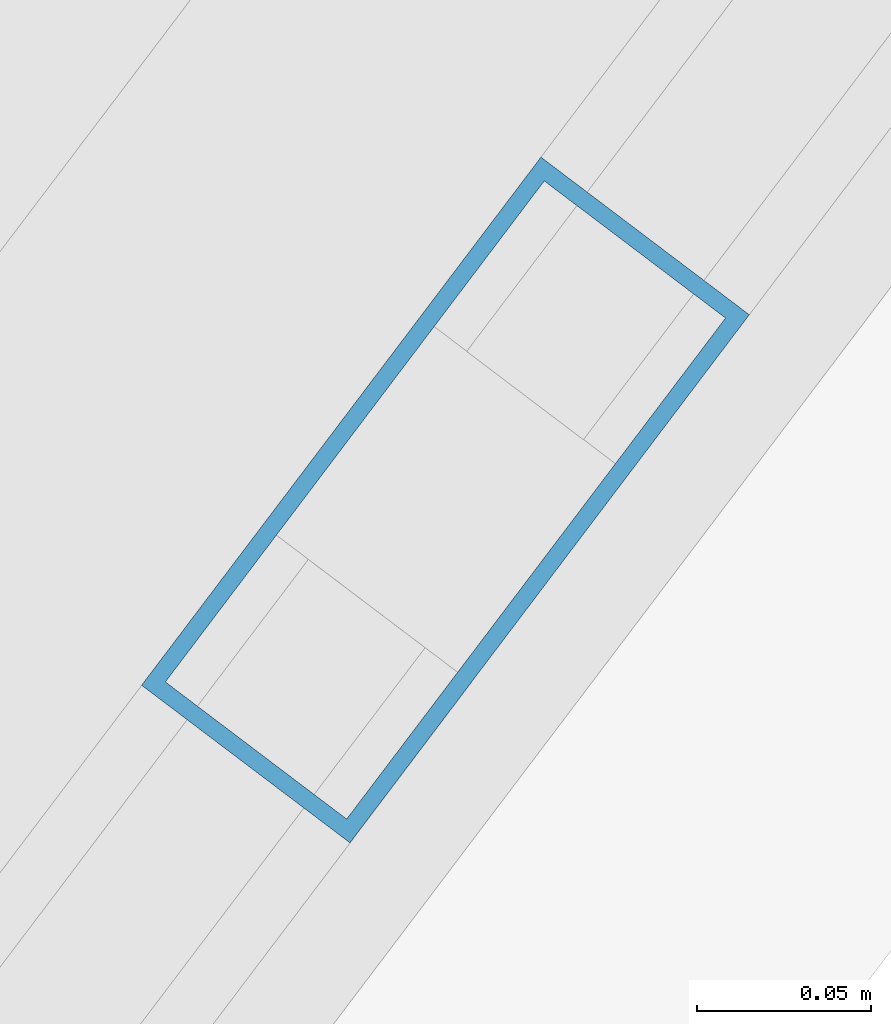
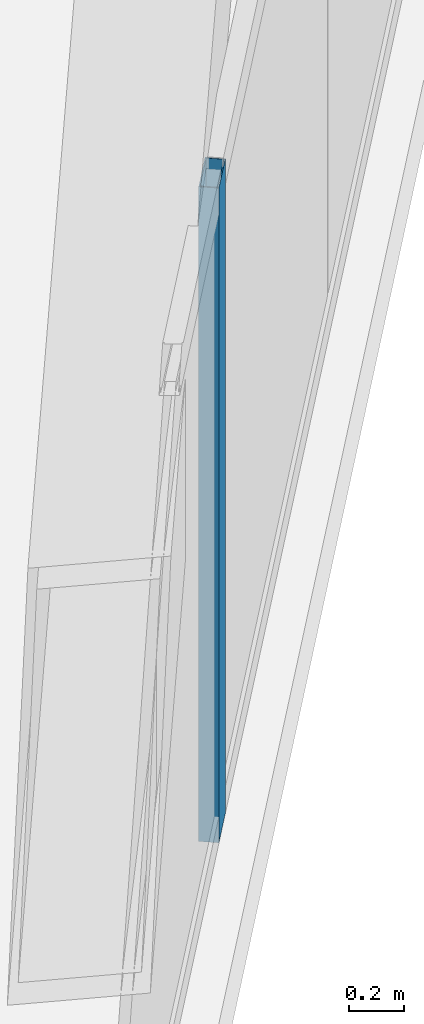
# One storey, part 13 of 34: 1 member, 1 element without a shape of its own.
"""IFC4 building model written with IfcOpenShell, lengths in metres."""

from ifc_helpers import new_model, si_unit, direction, frame, origin, origin_2d, place, context, subcontext, project, spatial, hollow_rectangle, extrude, material, material_profile, profile_set, type_object, element, aggregate, save


model = new_model("IFC4")

# Units and contexts
model_context = context("Model", 3, precision=1e-05, world=origin(), true_north=direction((0.0, 1.0)))
body_context = subcontext(model_context, "Body", "Model", "MODEL_VIEW")
ifc_project = project(units=[si_unit("LENGTHUNIT", "METRE"), si_unit("AREAUNIT", "SQUARE_METRE"), si_unit("VOLUMEUNIT", "CUBIC_METRE"), si_unit("PLANEANGLEUNIT", "RADIAN"), si_unit("MASSUNIT", "GRAM", prefix="KILO")], contexts=[model_context])

# Site, building, storey
site_placement = place(None, origin())
site = spatial("IfcSite", under=ifc_project, at=site_placement, CompositionType="ELEMENT")
building_placement = place(site_placement, origin())
building = spatial("IfcBuilding", under=site, at=building_placement, Name="Haldenkirk Collegiate Tower", CompositionType="ELEMENT")
storey_placement = place(building_placement, frame((0.0, 0.0, 205.949951171875)))
storey = spatial("IfcBuildingStorey", under=building, at=storey_placement, Name="L51", CompositionType="ELEMENT", Elevation=205.949951171875)

# Curtain wall, member
ifc_material = material(Name="Anodised architectural bronze aluminium", Category="aluminium")
curtain_wall_type = type_object("IfcCurtainWallType", Name="CW-SYS2-CONCAVE", PredefinedType="USERDEFINED", material=ifc_material)
curtain_wall_placement = place(storey_placement, origin())
curtain_wall = element("IfcCurtainWall", 1, at=curtain_wall_placement, inside=storey, type_object=curtain_wall_type, Name="L51 South concave recessed bronze-anodised curtain wall", ObjectType="UNITISED CURTAIN WALL", PredefinedType="USERDEFINED")
ifc_material_profile = material_profile(ifc_material, hollow_rectangle(XDim=0.074951171875, YDim=0.18994140625, WallThickness=0.0048828125, at=origin_2d()), Name="CW-MUL-02")
ifc_profile_set = profile_set([ifc_material_profile], Name="Anodised architectural bronze aluminium")
member_type = type_object("IfcMemberType", Name="CW-MUL-02", PredefinedType="MULLION", material=ifc_profile_set)
member_placement = place(storey_placement, frame((54.599609375, 11.93310546875, 0.0), z_axis=(0.0, 0.0, 1.0), x_axis=(0.797584320771, -0.6032074695, 0.0)))
member = element("IfcMember", 2, at=member_placement, type_object=member_type, Name="CW-02 mullion 3", PredefinedType="MULLION", context=body_context, shape_type="SweptSolid", body=[
    extrude(hollow_rectangle(XDim=0.074951171875, YDim=0.18994140625, WallThickness=0.0048828125, at=origin_2d()), origin(), (0.0, 0.0, 1.0), 2.927978515625),
])
aggregate(curtain_wall, [member])

save(model, "model.ifc")
